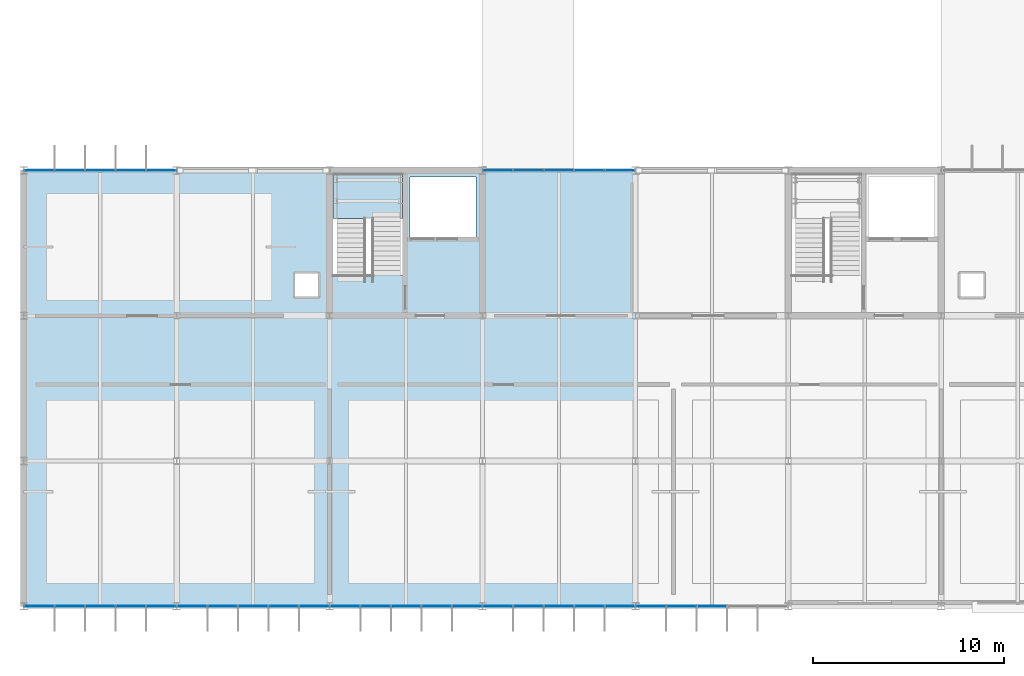
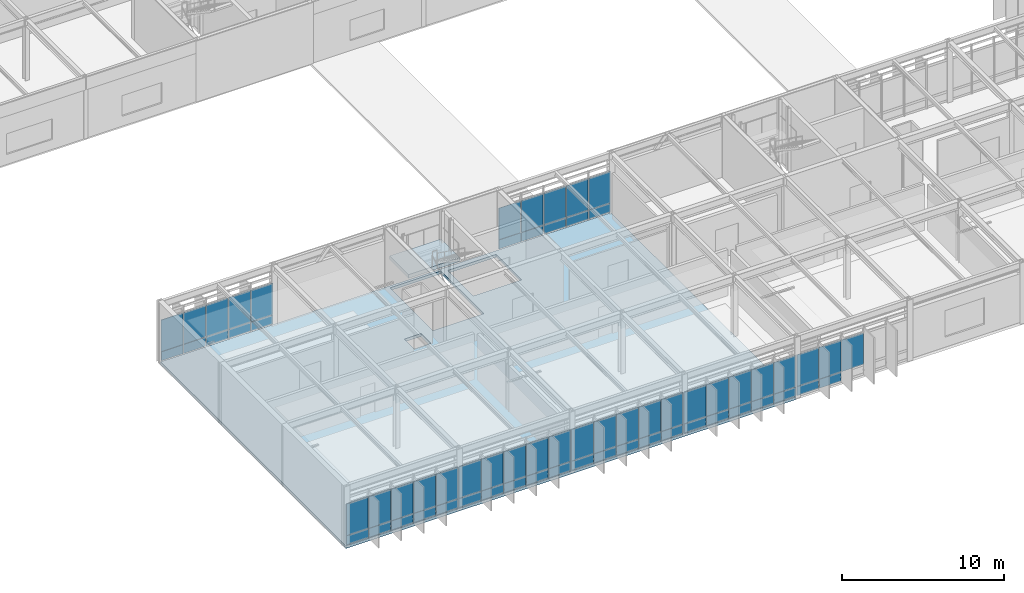
# One storey, part 71 of 100: 65 plates, 2 slabs, 8 elements without a shape of their own.
"""IFC4 building model written with IfcOpenShell, lengths in metres."""

from ifc_helpers import new_model, si_unit, direction, frame, origin, origin_2d, place, context, subcontext, project, spatial, polyline, rectangle, outline, extrude, material, layer, layer_set, type_object, element, aggregate, save


model = new_model("IFC4")

# Units and contexts
model_context = context("Model", 3, precision=1e-05, world=origin(), true_north=direction((0.0, 1.0)))
body_context = subcontext(model_context, "Body", "Model", "MODEL_VIEW")
ifc_project = project(units=[si_unit("LENGTHUNIT", "METRE"), si_unit("AREAUNIT", "SQUARE_METRE"), si_unit("VOLUMEUNIT", "CUBIC_METRE"), si_unit("PLANEANGLEUNIT", "RADIAN"), si_unit("MASSUNIT", "GRAM", prefix="KILO")], contexts=[model_context])

# Site, building, storey
site_placement = place(None, origin())
site = spatial("IfcSite", under=ifc_project, at=site_placement, CompositionType="ELEMENT")
building_placement = place(site_placement, origin())
building = spatial("IfcBuilding", under=site, at=building_placement, Name="Zulena Civic Courthouse", CompositionType="ELEMENT")
storey_placement = place(building_placement, frame((0.0, 0.0, 20.39990234375)))
storey = spatial("IfcBuildingStorey", under=building, at=storey_placement, Name="L04", CompositionType="ELEMENT", Elevation=20.39990234375)

# Curtain wall, plates
ifc_material_1 = material(Name="Double-silver low-E laminated solar-control glass", Category="glass")
curtain_wall_type = type_object("IfcCurtainWallType", Name="CW_7976x3690", PredefinedType="USERDEFINED", material=ifc_material_1)
curtain_wall_1_placement = place(storey_placement, origin())
curtain_wall_1 = element("IfcCurtainWall", 1, at=curtain_wall_1_placement, inside=storey, type_object=curtain_wall_type, Name="cw:V2:L04:1:0", ObjectType="UNITISED CURTAIN WALL", PredefinedType="USERDEFINED")
ifc_material_2 = material(Name="Ceramic-fritted insulated spandrel glass", Category="glass")
ifc_layer_1 = layer(ifc_material_2, 0.0458984375)
ifc_layer_set_1 = layer_set([ifc_layer_1], Name="Ceramic-fritted insulated spandrel glass")
plate_type_1 = type_object("IfcPlateType", Name="CWPanel_Spandrel_46", PredefinedType="CURTAIN_PANEL", material=ifc_layer_set_1)
plate_1_placement = place(storey_placement, frame((4.8095703125, 22.800048828125, 0.070068359375), z_axis=(0.0, 0.0, 1.0), x_axis=(1.0, 0.0, 0.0)))
plate_1 = element("IfcPlate", 2, at=plate_1_placement, type_object=plate_type_1, Name="cw:V2:L04:1:0:panS:0", PredefinedType="CURTAIN_PANEL", context=body_context, shape_type="SweptSolid", body=[
    extrude(rectangle(XDim=1.544921875, YDim=0.0458984375, at=origin_2d()), origin(), (0.0, 0.0, 1.0), 0.669921875),
])
plate_2_placement = place(storey_placement, frame((6.40478515625, 22.800048828125, 0.070068359375), z_axis=(0.0, 0.0, 1.0), x_axis=(1.0, 0.0, 0.0)))
plate_2 = element("IfcPlate", 3, at=plate_2_placement, type_object=plate_type_1, Name="cw:V2:L04:1:0:panS:1", PredefinedType="CURTAIN_PANEL", context=body_context, shape_type="SweptSolid", body=[
    extrude(rectangle(XDim=1.544921875, YDim=0.0458984375, at=origin_2d()), origin(), (0.0, 0.0, 1.0), 0.669921875),
])
plate_3_placement = place(storey_placement, frame((8.0, 22.800048828125, 0.070068359375), z_axis=(0.0, 0.0, 1.0), x_axis=(1.0, 0.0, 0.0)))
plate_3 = element("IfcPlate", 4, at=plate_3_placement, type_object=plate_type_1, Name="cw:V2:L04:1:0:panS:2", PredefinedType="CURTAIN_PANEL", context=body_context, shape_type="SweptSolid", body=[
    extrude(rectangle(XDim=1.544921875, YDim=0.0458984375, at=origin_2d()), origin(), (0.0, 0.0, 1.0), 0.669921875),
])
plate_4_placement = place(storey_placement, frame((9.59521484375, 22.800048828125, 0.070068359375), z_axis=(0.0, 0.0, 1.0), x_axis=(1.0, 0.0, 0.0)))
plate_4 = element("IfcPlate", 5, at=plate_4_placement, type_object=plate_type_1, Name="cw:V2:L04:1:0:panS:3", PredefinedType="CURTAIN_PANEL", context=body_context, shape_type="SweptSolid", body=[
    extrude(rectangle(XDim=1.544921875, YDim=0.0458984375, at=origin_2d()), origin(), (0.0, 0.0, 1.0), 0.669921875),
])
plate_5_placement = place(storey_placement, frame((11.1904296875, 22.800048828125, 0.070068359375), z_axis=(0.0, 0.0, 1.0), x_axis=(1.0, 0.0, 0.0)))
plate_5 = element("IfcPlate", 6, at=plate_5_placement, type_object=plate_type_1, Name="cw:V2:L04:1:0:panS:4", PredefinedType="CURTAIN_PANEL", context=body_context, shape_type="SweptSolid", body=[
    extrude(rectangle(XDim=1.544921875, YDim=0.0458984375, at=origin_2d()), origin(), (0.0, 0.0, 1.0), 0.669921875),
])

curtain_wall_2_placement = place(storey_placement, origin())
curtain_wall_2 = element("IfcCurtainWall", 7, at=curtain_wall_2_placement, inside=storey, type_object=curtain_wall_type, Name="cw:V2:L04:1:3", ObjectType="UNITISED CURTAIN WALL", PredefinedType="USERDEFINED")
plate_6_placement = place(storey_placement, frame((28.8095703125, 22.800048828125, 0.070068359375), z_axis=(0.0, 0.0, 1.0), x_axis=(1.0, 0.0, 0.0)))
plate_6 = element("IfcPlate", 8, at=plate_6_placement, type_object=plate_type_1, Name="cw:V2:L04:1:3:panS:0", PredefinedType="CURTAIN_PANEL", context=body_context, shape_type="SweptSolid", body=[
    extrude(rectangle(XDim=1.544921875, YDim=0.0458984375, at=origin_2d()), origin(), (0.0, 0.0, 1.0), 0.669921875),
])
plate_7_placement = place(storey_placement, frame((30.40478515625, 22.800048828125, 0.070068359375), z_axis=(0.0, 0.0, 1.0), x_axis=(1.0, 0.0, 0.0)))
plate_7 = element("IfcPlate", 9, at=plate_7_placement, type_object=plate_type_1, Name="cw:V2:L04:1:3:panS:1", PredefinedType="CURTAIN_PANEL", context=body_context, shape_type="SweptSolid", body=[
    extrude(rectangle(XDim=1.544921875, YDim=0.0458984375, at=origin_2d()), origin(), (0.0, 0.0, 1.0), 0.669921875),
])
plate_8_placement = place(storey_placement, frame((32.0, 22.800048828125, 0.070068359375), z_axis=(0.0, 0.0, 1.0), x_axis=(1.0, 0.0, 0.0)))
plate_8 = element("IfcPlate", 10, at=plate_8_placement, type_object=plate_type_1, Name="cw:V2:L04:1:3:panS:2", PredefinedType="CURTAIN_PANEL", context=body_context, shape_type="SweptSolid", body=[
    extrude(rectangle(XDim=1.544921875, YDim=0.0458984375, at=origin_2d()), origin(), (0.0, 0.0, 1.0), 0.669921875),
])
plate_9_placement = place(storey_placement, frame((33.59521484375, 22.800048828125, 0.070068359375), z_axis=(0.0, 0.0, 1.0), x_axis=(1.0, 0.0, 0.0)))
plate_9 = element("IfcPlate", 11, at=plate_9_placement, type_object=plate_type_1, Name="cw:V2:L04:1:3:panS:3", PredefinedType="CURTAIN_PANEL", context=body_context, shape_type="SweptSolid", body=[
    extrude(rectangle(XDim=1.544921875, YDim=0.0458984375, at=origin_2d()), origin(), (0.0, 0.0, 1.0), 0.669921875),
])
plate_10_placement = place(storey_placement, frame((35.1904296875, 22.800048828125, 0.070068359375), z_axis=(0.0, 0.0, 1.0), x_axis=(1.0, 0.0, 0.0)))
plate_10 = element("IfcPlate", 12, at=plate_10_placement, type_object=plate_type_1, Name="cw:V2:L04:1:3:panS:4", PredefinedType="CURTAIN_PANEL", context=body_context, shape_type="SweptSolid", body=[
    extrude(rectangle(XDim=1.544921875, YDim=0.0458984375, at=origin_2d()), origin(), (0.0, 0.0, 1.0), 0.669921875),
])

curtain_wall_3_placement = place(storey_placement, origin())
curtain_wall_3 = element("IfcCurtainWall", 13, at=curtain_wall_3_placement, inside=storey, type_object=curtain_wall_type, Name="cw:V2:L04:3:3", ObjectType="UNITISED CURTAIN WALL", PredefinedType="USERDEFINED")
plate_11_placement = place(storey_placement, frame((38.40478515625, 0.0, 0.070068359375), z_axis=(0.0, 0.0, 1.0), x_axis=(-1.0, 0.0, 0.0)))
plate_11 = element("IfcPlate", 14, at=plate_11_placement, type_object=plate_type_1, Name="cw:V2:L04:3:3:panS:3", PredefinedType="CURTAIN_PANEL", context=body_context, shape_type="SweptSolid", body=[
    extrude(rectangle(XDim=1.544921875, YDim=0.0458984375, at=origin_2d()), origin(), (0.0, 0.0, 1.0), 0.669921875),
])
plate_12_placement = place(storey_placement, frame((36.8095703125, 0.0, 0.070068359375), z_axis=(0.0, 0.0, 1.0), x_axis=(-1.0, 0.0, 0.0)))
plate_12 = element("IfcPlate", 15, at=plate_12_placement, type_object=plate_type_1, Name="cw:V2:L04:3:3:panS:4", PredefinedType="CURTAIN_PANEL", context=body_context, shape_type="SweptSolid", body=[
    extrude(rectangle(XDim=1.544921875, YDim=0.0458984375, at=origin_2d()), origin(), (0.0, 0.0, 1.0), 0.669921875),
])

curtain_wall_4_placement = place(storey_placement, origin())
curtain_wall_4 = element("IfcCurtainWall", 16, at=curtain_wall_4_placement, inside=storey, type_object=curtain_wall_type, Name="cw:V2:L04:3:4", ObjectType="UNITISED CURTAIN WALL", PredefinedType="USERDEFINED")
plate_13_placement = place(storey_placement, frame((35.1904296875, 0.0, 0.070068359375), z_axis=(0.0, 0.0, 1.0), x_axis=(-1.0, 0.0, 0.0)))
plate_13 = element("IfcPlate", 17, at=plate_13_placement, type_object=plate_type_1, Name="cw:V2:L04:3:4:panS:0", PredefinedType="CURTAIN_PANEL", context=body_context, shape_type="SweptSolid", body=[
    extrude(rectangle(XDim=1.544921875, YDim=0.0458984375, at=origin_2d()), origin(), (0.0, 0.0, 1.0), 0.669921875),
])
plate_14_placement = place(storey_placement, frame((33.59521484375, 0.0, 0.070068359375), z_axis=(0.0, 0.0, 1.0), x_axis=(-1.0, 0.0, 0.0)))
plate_14 = element("IfcPlate", 18, at=plate_14_placement, type_object=plate_type_1, Name="cw:V2:L04:3:4:panS:1", PredefinedType="CURTAIN_PANEL", context=body_context, shape_type="SweptSolid", body=[
    extrude(rectangle(XDim=1.544921875, YDim=0.0458984375, at=origin_2d()), origin(), (0.0, 0.0, 1.0), 0.669921875),
])
plate_15_placement = place(storey_placement, frame((32.0, 0.0, 0.070068359375), z_axis=(0.0, 0.0, 1.0), x_axis=(-1.0, 0.0, 0.0)))
plate_15 = element("IfcPlate", 19, at=plate_15_placement, type_object=plate_type_1, Name="cw:V2:L04:3:4:panS:2", PredefinedType="CURTAIN_PANEL", context=body_context, shape_type="SweptSolid", body=[
    extrude(rectangle(XDim=1.544921875, YDim=0.0458984375, at=origin_2d()), origin(), (0.0, 0.0, 1.0), 0.669921875),
])
plate_16_placement = place(storey_placement, frame((30.40478515625, 0.0, 0.070068359375), z_axis=(0.0, 0.0, 1.0), x_axis=(-1.0, 0.0, 0.0)))
plate_16 = element("IfcPlate", 20, at=plate_16_placement, type_object=plate_type_1, Name="cw:V2:L04:3:4:panS:3", PredefinedType="CURTAIN_PANEL", context=body_context, shape_type="SweptSolid", body=[
    extrude(rectangle(XDim=1.544921875, YDim=0.0458984375, at=origin_2d()), origin(), (0.0, 0.0, 1.0), 0.669921875),
])
plate_17_placement = place(storey_placement, frame((28.8095703125, 0.0, 0.070068359375), z_axis=(0.0, 0.0, 1.0), x_axis=(-1.0, 0.0, 0.0)))
plate_17 = element("IfcPlate", 21, at=plate_17_placement, type_object=plate_type_1, Name="cw:V2:L04:3:4:panS:4", PredefinedType="CURTAIN_PANEL", context=body_context, shape_type="SweptSolid", body=[
    extrude(rectangle(XDim=1.544921875, YDim=0.0458984375, at=origin_2d()), origin(), (0.0, 0.0, 1.0), 0.669921875),
])

curtain_wall_5_placement = place(storey_placement, origin())
curtain_wall_5 = element("IfcCurtainWall", 22, at=curtain_wall_5_placement, inside=storey, type_object=curtain_wall_type, Name="cw:V2:L04:3:5", ObjectType="UNITISED CURTAIN WALL", PredefinedType="USERDEFINED")
plate_18_placement = place(storey_placement, frame((27.1904296875, 0.0, 0.070068359375), z_axis=(0.0, 0.0, 1.0), x_axis=(-1.0, 0.0, 0.0)))
plate_18 = element("IfcPlate", 23, at=plate_18_placement, type_object=plate_type_1, Name="cw:V2:L04:3:5:panS:0", PredefinedType="CURTAIN_PANEL", context=body_context, shape_type="SweptSolid", body=[
    extrude(rectangle(XDim=1.544921875, YDim=0.0458984375, at=origin_2d()), origin(), (0.0, 0.0, 1.0), 0.669921875),
])
plate_19_placement = place(storey_placement, frame((25.59521484375, 0.0, 0.070068359375), z_axis=(0.0, 0.0, 1.0), x_axis=(-1.0, 0.0, 0.0)))
plate_19 = element("IfcPlate", 24, at=plate_19_placement, type_object=plate_type_1, Name="cw:V2:L04:3:5:panS:1", PredefinedType="CURTAIN_PANEL", context=body_context, shape_type="SweptSolid", body=[
    extrude(rectangle(XDim=1.544921875, YDim=0.0458984375, at=origin_2d()), origin(), (0.0, 0.0, 1.0), 0.669921875),
])
plate_20_placement = place(storey_placement, frame((24.0, 0.0, 0.070068359375), z_axis=(0.0, 0.0, 1.0), x_axis=(-1.0, 0.0, 0.0)))
plate_20 = element("IfcPlate", 25, at=plate_20_placement, type_object=plate_type_1, Name="cw:V2:L04:3:5:panS:2", PredefinedType="CURTAIN_PANEL", context=body_context, shape_type="SweptSolid", body=[
    extrude(rectangle(XDim=1.544921875, YDim=0.0458984375, at=origin_2d()), origin(), (0.0, 0.0, 1.0), 0.669921875),
])
plate_21_placement = place(storey_placement, frame((22.40478515625, 0.0, 0.070068359375), z_axis=(0.0, 0.0, 1.0), x_axis=(-1.0, 0.0, 0.0)))
plate_21 = element("IfcPlate", 26, at=plate_21_placement, type_object=plate_type_1, Name="cw:V2:L04:3:5:panS:3", PredefinedType="CURTAIN_PANEL", context=body_context, shape_type="SweptSolid", body=[
    extrude(rectangle(XDim=1.544921875, YDim=0.0458984375, at=origin_2d()), origin(), (0.0, 0.0, 1.0), 0.669921875),
])
plate_22_placement = place(storey_placement, frame((20.8095703125, 0.0, 0.070068359375), z_axis=(0.0, 0.0, 1.0), x_axis=(-1.0, 0.0, 0.0)))
plate_22 = element("IfcPlate", 27, at=plate_22_placement, type_object=plate_type_1, Name="cw:V2:L04:3:5:panS:4", PredefinedType="CURTAIN_PANEL", context=body_context, shape_type="SweptSolid", body=[
    extrude(rectangle(XDim=1.544921875, YDim=0.0458984375, at=origin_2d()), origin(), (0.0, 0.0, 1.0), 0.669921875),
])

curtain_wall_6_placement = place(storey_placement, origin())
curtain_wall_6 = element("IfcCurtainWall", 28, at=curtain_wall_6_placement, inside=storey, type_object=curtain_wall_type, Name="cw:V2:L04:3:6", ObjectType="UNITISED CURTAIN WALL", PredefinedType="USERDEFINED")
plate_23_placement = place(storey_placement, frame((19.1904296875, 0.0, 0.070068359375), z_axis=(0.0, 0.0, 1.0), x_axis=(-1.0, 0.0, 0.0)))
plate_23 = element("IfcPlate", 29, at=plate_23_placement, type_object=plate_type_1, Name="cw:V2:L04:3:6:panS:0", PredefinedType="CURTAIN_PANEL", context=body_context, shape_type="SweptSolid", body=[
    extrude(rectangle(XDim=1.544921875, YDim=0.0458984375, at=origin_2d()), origin(), (0.0, 0.0, 1.0), 0.669921875),
])
plate_24_placement = place(storey_placement, frame((17.59521484375, 0.0, 0.070068359375), z_axis=(0.0, 0.0, 1.0), x_axis=(-1.0, 0.0, 0.0)))
plate_24 = element("IfcPlate", 30, at=plate_24_placement, type_object=plate_type_1, Name="cw:V2:L04:3:6:panS:1", PredefinedType="CURTAIN_PANEL", context=body_context, shape_type="SweptSolid", body=[
    extrude(rectangle(XDim=1.544921875, YDim=0.0458984375, at=origin_2d()), origin(), (0.0, 0.0, 1.0), 0.669921875),
])
plate_25_placement = place(storey_placement, frame((16.0, 0.0, 0.070068359375), z_axis=(0.0, 0.0, 1.0), x_axis=(-1.0, 0.0, 0.0)))
plate_25 = element("IfcPlate", 31, at=plate_25_placement, type_object=plate_type_1, Name="cw:V2:L04:3:6:panS:2", PredefinedType="CURTAIN_PANEL", context=body_context, shape_type="SweptSolid", body=[
    extrude(rectangle(XDim=1.544921875, YDim=0.0458984375, at=origin_2d()), origin(), (0.0, 0.0, 1.0), 0.669921875),
])
plate_26_placement = place(storey_placement, frame((14.40478515625, 0.0, 0.070068359375), z_axis=(0.0, 0.0, 1.0), x_axis=(-1.0, 0.0, 0.0)))
plate_26 = element("IfcPlate", 32, at=plate_26_placement, type_object=plate_type_1, Name="cw:V2:L04:3:6:panS:3", PredefinedType="CURTAIN_PANEL", context=body_context, shape_type="SweptSolid", body=[
    extrude(rectangle(XDim=1.544921875, YDim=0.0458984375, at=origin_2d()), origin(), (0.0, 0.0, 1.0), 0.669921875),
])
plate_27_placement = place(storey_placement, frame((12.8095703125, 0.0, 0.070068359375), z_axis=(0.0, 0.0, 1.0), x_axis=(-1.0, 0.0, 0.0)))
plate_27 = element("IfcPlate", 33, at=plate_27_placement, type_object=plate_type_1, Name="cw:V2:L04:3:6:panS:4", PredefinedType="CURTAIN_PANEL", context=body_context, shape_type="SweptSolid", body=[
    extrude(rectangle(XDim=1.544921875, YDim=0.0458984375, at=origin_2d()), origin(), (0.0, 0.0, 1.0), 0.669921875),
])

curtain_wall_7_placement = place(storey_placement, origin())
curtain_wall_7 = element("IfcCurtainWall", 34, at=curtain_wall_7_placement, inside=storey, type_object=curtain_wall_type, Name="cw:V2:L04:3:7", ObjectType="UNITISED CURTAIN WALL", PredefinedType="USERDEFINED")
plate_28_placement = place(storey_placement, frame((11.1904296875, 0.0, 0.070068359375), z_axis=(0.0, 0.0, 1.0), x_axis=(-1.0, 0.0, 0.0)))
plate_28 = element("IfcPlate", 35, at=plate_28_placement, type_object=plate_type_1, Name="cw:V2:L04:3:7:panS:0", PredefinedType="CURTAIN_PANEL", context=body_context, shape_type="SweptSolid", body=[
    extrude(rectangle(XDim=1.544921875, YDim=0.0458984375, at=origin_2d()), origin(), (0.0, 0.0, 1.0), 0.669921875),
])
plate_29_placement = place(storey_placement, frame((9.59521484375, 0.0, 0.070068359375), z_axis=(0.0, 0.0, 1.0), x_axis=(-1.0, 0.0, 0.0)))
plate_29 = element("IfcPlate", 36, at=plate_29_placement, type_object=plate_type_1, Name="cw:V2:L04:3:7:panS:1", PredefinedType="CURTAIN_PANEL", context=body_context, shape_type="SweptSolid", body=[
    extrude(rectangle(XDim=1.544921875, YDim=0.0458984375, at=origin_2d()), origin(), (0.0, 0.0, 1.0), 0.669921875),
])
plate_30_placement = place(storey_placement, frame((8.0, 0.0, 0.070068359375), z_axis=(0.0, 0.0, 1.0), x_axis=(-1.0, 0.0, 0.0)))
plate_30 = element("IfcPlate", 37, at=plate_30_placement, type_object=plate_type_1, Name="cw:V2:L04:3:7:panS:2", PredefinedType="CURTAIN_PANEL", context=body_context, shape_type="SweptSolid", body=[
    extrude(rectangle(XDim=1.544921875, YDim=0.0458984375, at=origin_2d()), origin(), (0.0, 0.0, 1.0), 0.669921875),
])
plate_31_placement = place(storey_placement, frame((6.40478515625, 0.0, 0.070068359375), z_axis=(0.0, 0.0, 1.0), x_axis=(-1.0, 0.0, 0.0)))
plate_31 = element("IfcPlate", 38, at=plate_31_placement, type_object=plate_type_1, Name="cw:V2:L04:3:7:panS:3", PredefinedType="CURTAIN_PANEL", context=body_context, shape_type="SweptSolid", body=[
    extrude(rectangle(XDim=1.544921875, YDim=0.0458984375, at=origin_2d()), origin(), (0.0, 0.0, 1.0), 0.669921875),
])
plate_32_placement = place(storey_placement, frame((4.8095703125, 0.0, 0.070068359375), z_axis=(0.0, 0.0, 1.0), x_axis=(-1.0, 0.0, 0.0)))
plate_32 = element("IfcPlate", 39, at=plate_32_placement, type_object=plate_type_1, Name="cw:V2:L04:3:7:panS:4", PredefinedType="CURTAIN_PANEL", context=body_context, shape_type="SweptSolid", body=[
    extrude(rectangle(XDim=1.544921875, YDim=0.0458984375, at=origin_2d()), origin(), (0.0, 0.0, 1.0), 0.669921875),
])

# Plate
ifc_layer_2 = layer(ifc_material_1, 0.035888671875)
ifc_layer_set_2 = layer_set([ifc_layer_2], Name="Double-silver low-E laminated solar-control glass")
plate_type_2 = type_object("IfcPlateType", Name="CWPanel_Vision_36", PredefinedType="CURTAIN_PANEL", material=ifc_layer_set_2)
plate_33_placement = place(storey_placement, frame((4.8095703125, 22.800048828125, 0.760009765625), z_axis=(0.0, 0.0, 1.0), x_axis=(1.0, 0.0, 0.0)))
plate_33 = element("IfcPlate", 40, at=plate_33_placement, type_object=plate_type_2, Name="cw:V2:L04:1:0:panV:0", PredefinedType="CURTAIN_PANEL", context=body_context, shape_type="SweptSolid", body=[
    extrude(rectangle(XDim=1.544921875, YDim=0.035888671875, at=origin_2d()), origin(), (0.0, 0.0, 1.0), 2.3701171875),
])

plate_34_placement = place(storey_placement, frame((6.40478515625, 22.800048828125, 0.760009765625), z_axis=(0.0, 0.0, 1.0), x_axis=(1.0, 0.0, 0.0)))
plate_34 = element("IfcPlate", 41, at=plate_34_placement, type_object=plate_type_2, Name="cw:V2:L04:1:0:panV:1", PredefinedType="CURTAIN_PANEL", context=body_context, shape_type="SweptSolid", body=[
    extrude(rectangle(XDim=1.544921875, YDim=0.035888671875, at=origin_2d()), origin(), (0.0, 0.0, 1.0), 2.3701171875),
])

plate_35_placement = place(storey_placement, frame((8.0, 22.800048828125, 0.760009765625), z_axis=(0.0, 0.0, 1.0), x_axis=(1.0, 0.0, 0.0)))
plate_35 = element("IfcPlate", 42, at=plate_35_placement, type_object=plate_type_2, Name="cw:V2:L04:1:0:panV:2", PredefinedType="CURTAIN_PANEL", context=body_context, shape_type="SweptSolid", body=[
    extrude(rectangle(XDim=1.544921875, YDim=0.035888671875, at=origin_2d()), origin(), (0.0, 0.0, 1.0), 2.3701171875),
])

plate_36_placement = place(storey_placement, frame((9.59521484375, 22.800048828125, 0.760009765625), z_axis=(0.0, 0.0, 1.0), x_axis=(1.0, 0.0, 0.0)))
plate_36 = element("IfcPlate", 43, at=plate_36_placement, type_object=plate_type_2, Name="cw:V2:L04:1:0:panV:3", PredefinedType="CURTAIN_PANEL", context=body_context, shape_type="SweptSolid", body=[
    extrude(rectangle(XDim=1.544921875, YDim=0.035888671875, at=origin_2d()), origin(), (0.0, 0.0, 1.0), 2.3701171875),
])

plate_37_placement = place(storey_placement, frame((11.1904296875, 22.800048828125, 0.760009765625), z_axis=(0.0, 0.0, 1.0), x_axis=(1.0, 0.0, 0.0)))
plate_37 = element("IfcPlate", 44, at=plate_37_placement, type_object=plate_type_2, Name="cw:V2:L04:1:0:panV:4", PredefinedType="CURTAIN_PANEL", context=body_context, shape_type="SweptSolid", body=[
    extrude(rectangle(XDim=1.544921875, YDim=0.035888671875, at=origin_2d()), origin(), (0.0, 0.0, 1.0), 2.3701171875),
])

aggregate(curtain_wall_1, [plate_33, plate_1, plate_34, plate_2, plate_35, plate_3, plate_36, plate_4, plate_37, plate_5])

plate_38_placement = place(storey_placement, frame((28.8095703125, 22.800048828125, 0.760009765625), z_axis=(0.0, 0.0, 1.0), x_axis=(1.0, 0.0, 0.0)))
plate_38 = element("IfcPlate", 45, at=plate_38_placement, type_object=plate_type_2, Name="cw:V2:L04:1:3:panV:0", PredefinedType="CURTAIN_PANEL", context=body_context, shape_type="SweptSolid", body=[
    extrude(rectangle(XDim=1.544921875, YDim=0.035888671875, at=origin_2d()), origin(), (0.0, 0.0, 1.0), 2.3701171875),
])

plate_39_placement = place(storey_placement, frame((30.40478515625, 22.800048828125, 0.760009765625), z_axis=(0.0, 0.0, 1.0), x_axis=(1.0, 0.0, 0.0)))
plate_39 = element("IfcPlate", 46, at=plate_39_placement, type_object=plate_type_2, Name="cw:V2:L04:1:3:panV:1", PredefinedType="CURTAIN_PANEL", context=body_context, shape_type="SweptSolid", body=[
    extrude(rectangle(XDim=1.544921875, YDim=0.035888671875, at=origin_2d()), origin(), (0.0, 0.0, 1.0), 2.3701171875),
])

plate_40_placement = place(storey_placement, frame((32.0, 22.800048828125, 0.760009765625), z_axis=(0.0, 0.0, 1.0), x_axis=(1.0, 0.0, 0.0)))
plate_40 = element("IfcPlate", 47, at=plate_40_placement, type_object=plate_type_2, Name="cw:V2:L04:1:3:panV:2", PredefinedType="CURTAIN_PANEL", context=body_context, shape_type="SweptSolid", body=[
    extrude(rectangle(XDim=1.544921875, YDim=0.035888671875, at=origin_2d()), origin(), (0.0, 0.0, 1.0), 2.3701171875),
])

plate_41_placement = place(storey_placement, frame((33.59521484375, 22.800048828125, 0.760009765625), z_axis=(0.0, 0.0, 1.0), x_axis=(1.0, 0.0, 0.0)))
plate_41 = element("IfcPlate", 48, at=plate_41_placement, type_object=plate_type_2, Name="cw:V2:L04:1:3:panV:3", PredefinedType="CURTAIN_PANEL", context=body_context, shape_type="SweptSolid", body=[
    extrude(rectangle(XDim=1.544921875, YDim=0.035888671875, at=origin_2d()), origin(), (0.0, 0.0, 1.0), 2.3701171875),
])

plate_42_placement = place(storey_placement, frame((35.1904296875, 22.800048828125, 0.760009765625), z_axis=(0.0, 0.0, 1.0), x_axis=(1.0, 0.0, 0.0)))
plate_42 = element("IfcPlate", 49, at=plate_42_placement, type_object=plate_type_2, Name="cw:V2:L04:1:3:panV:4", PredefinedType="CURTAIN_PANEL", context=body_context, shape_type="SweptSolid", body=[
    extrude(rectangle(XDim=1.544921875, YDim=0.035888671875, at=origin_2d()), origin(), (0.0, 0.0, 1.0), 2.3701171875),
])

aggregate(curtain_wall_2, [plate_38, plate_6, plate_39, plate_7, plate_40, plate_8, plate_41, plate_9, plate_42, plate_10])

plate_43_placement = place(storey_placement, frame((40.0, 0.0, 0.760009765625), z_axis=(0.0, 0.0, 1.0), x_axis=(-1.0, 0.0, 0.0)))
plate_43 = element("IfcPlate", 50, at=plate_43_placement, type_object=plate_type_2, Name="cw:V2:L04:3:3:panV:2", PredefinedType="CURTAIN_PANEL", context=body_context, shape_type="SweptSolid", body=[
    extrude(rectangle(XDim=1.544921875, YDim=0.035888671875, at=origin_2d()), origin(), (0.0, 0.0, 1.0), 2.3701171875),
])

plate_44_placement = place(storey_placement, frame((38.40478515625, 0.0, 0.760009765625), z_axis=(0.0, 0.0, 1.0), x_axis=(-1.0, 0.0, 0.0)))
plate_44 = element("IfcPlate", 51, at=plate_44_placement, type_object=plate_type_2, Name="cw:V2:L04:3:3:panV:3", PredefinedType="CURTAIN_PANEL", context=body_context, shape_type="SweptSolid", body=[
    extrude(rectangle(XDim=1.544921875, YDim=0.035888671875, at=origin_2d()), origin(), (0.0, 0.0, 1.0), 2.3701171875),
])

plate_45_placement = place(storey_placement, frame((36.8095703125, 0.0, 0.760009765625), z_axis=(0.0, 0.0, 1.0), x_axis=(-1.0, 0.0, 0.0)))
plate_45 = element("IfcPlate", 52, at=plate_45_placement, type_object=plate_type_2, Name="cw:V2:L04:3:3:panV:4", PredefinedType="CURTAIN_PANEL", context=body_context, shape_type="SweptSolid", body=[
    extrude(rectangle(XDim=1.544921875, YDim=0.035888671875, at=origin_2d()), origin(), (0.0, 0.0, 1.0), 2.3701171875),
])

aggregate(curtain_wall_3, [plate_43, plate_44, plate_11, plate_45, plate_12])

plate_46_placement = place(storey_placement, frame((35.1904296875, 0.0, 0.760009765625), z_axis=(0.0, 0.0, 1.0), x_axis=(-1.0, 0.0, 0.0)))
plate_46 = element("IfcPlate", 53, at=plate_46_placement, type_object=plate_type_2, Name="cw:V2:L04:3:4:panV:0", PredefinedType="CURTAIN_PANEL", context=body_context, shape_type="SweptSolid", body=[
    extrude(rectangle(XDim=1.544921875, YDim=0.035888671875, at=origin_2d()), origin(), (0.0, 0.0, 1.0), 2.3701171875),
])

plate_47_placement = place(storey_placement, frame((33.59521484375, 0.0, 0.760009765625), z_axis=(0.0, 0.0, 1.0), x_axis=(-1.0, 0.0, 0.0)))
plate_47 = element("IfcPlate", 54, at=plate_47_placement, type_object=plate_type_2, Name="cw:V2:L04:3:4:panV:1", PredefinedType="CURTAIN_PANEL", context=body_context, shape_type="SweptSolid", body=[
    extrude(rectangle(XDim=1.544921875, YDim=0.035888671875, at=origin_2d()), origin(), (0.0, 0.0, 1.0), 2.3701171875),
])

plate_48_placement = place(storey_placement, frame((32.0, 0.0, 0.760009765625), z_axis=(0.0, 0.0, 1.0), x_axis=(-1.0, 0.0, 0.0)))
plate_48 = element("IfcPlate", 55, at=plate_48_placement, type_object=plate_type_2, Name="cw:V2:L04:3:4:panV:2", PredefinedType="CURTAIN_PANEL", context=body_context, shape_type="SweptSolid", body=[
    extrude(rectangle(XDim=1.544921875, YDim=0.035888671875, at=origin_2d()), origin(), (0.0, 0.0, 1.0), 2.3701171875),
])

plate_49_placement = place(storey_placement, frame((30.40478515625, 0.0, 0.760009765625), z_axis=(0.0, 0.0, 1.0), x_axis=(-1.0, 0.0, 0.0)))
plate_49 = element("IfcPlate", 56, at=plate_49_placement, type_object=plate_type_2, Name="cw:V2:L04:3:4:panV:3", PredefinedType="CURTAIN_PANEL", context=body_context, shape_type="SweptSolid", body=[
    extrude(rectangle(XDim=1.544921875, YDim=0.035888671875, at=origin_2d()), origin(), (0.0, 0.0, 1.0), 2.3701171875),
])

plate_50_placement = place(storey_placement, frame((28.8095703125, 0.0, 0.760009765625), z_axis=(0.0, 0.0, 1.0), x_axis=(-1.0, 0.0, 0.0)))
plate_50 = element("IfcPlate", 57, at=plate_50_placement, type_object=plate_type_2, Name="cw:V2:L04:3:4:panV:4", PredefinedType="CURTAIN_PANEL", context=body_context, shape_type="SweptSolid", body=[
    extrude(rectangle(XDim=1.544921875, YDim=0.035888671875, at=origin_2d()), origin(), (0.0, 0.0, 1.0), 2.3701171875),
])

aggregate(curtain_wall_4, [plate_46, plate_13, plate_47, plate_14, plate_48, plate_15, plate_49, plate_16, plate_50, plate_17])

plate_51_placement = place(storey_placement, frame((27.1904296875, 0.0, 0.760009765625), z_axis=(0.0, 0.0, 1.0), x_axis=(-1.0, 0.0, 0.0)))
plate_51 = element("IfcPlate", 58, at=plate_51_placement, type_object=plate_type_2, Name="cw:V2:L04:3:5:panV:0", PredefinedType="CURTAIN_PANEL", context=body_context, shape_type="SweptSolid", body=[
    extrude(rectangle(XDim=1.544921875, YDim=0.035888671875, at=origin_2d()), origin(), (0.0, 0.0, 1.0), 2.3701171875),
])

plate_52_placement = place(storey_placement, frame((25.59521484375, 0.0, 0.760009765625), z_axis=(0.0, 0.0, 1.0), x_axis=(-1.0, 0.0, 0.0)))
plate_52 = element("IfcPlate", 59, at=plate_52_placement, type_object=plate_type_2, Name="cw:V2:L04:3:5:panV:1", PredefinedType="CURTAIN_PANEL", context=body_context, shape_type="SweptSolid", body=[
    extrude(rectangle(XDim=1.544921875, YDim=0.035888671875, at=origin_2d()), origin(), (0.0, 0.0, 1.0), 2.3701171875),
])

plate_53_placement = place(storey_placement, frame((24.0, 0.0, 0.760009765625), z_axis=(0.0, 0.0, 1.0), x_axis=(-1.0, 0.0, 0.0)))
plate_53 = element("IfcPlate", 60, at=plate_53_placement, type_object=plate_type_2, Name="cw:V2:L04:3:5:panV:2", PredefinedType="CURTAIN_PANEL", context=body_context, shape_type="SweptSolid", body=[
    extrude(rectangle(XDim=1.544921875, YDim=0.035888671875, at=origin_2d()), origin(), (0.0, 0.0, 1.0), 2.3701171875),
])

plate_54_placement = place(storey_placement, frame((22.40478515625, 0.0, 0.760009765625), z_axis=(0.0, 0.0, 1.0), x_axis=(-1.0, 0.0, 0.0)))
plate_54 = element("IfcPlate", 61, at=plate_54_placement, type_object=plate_type_2, Name="cw:V2:L04:3:5:panV:3", PredefinedType="CURTAIN_PANEL", context=body_context, shape_type="SweptSolid", body=[
    extrude(rectangle(XDim=1.544921875, YDim=0.035888671875, at=origin_2d()), origin(), (0.0, 0.0, 1.0), 2.3701171875),
])

plate_55_placement = place(storey_placement, frame((20.8095703125, 0.0, 0.760009765625), z_axis=(0.0, 0.0, 1.0), x_axis=(-1.0, 0.0, 0.0)))
plate_55 = element("IfcPlate", 62, at=plate_55_placement, type_object=plate_type_2, Name="cw:V2:L04:3:5:panV:4", PredefinedType="CURTAIN_PANEL", context=body_context, shape_type="SweptSolid", body=[
    extrude(rectangle(XDim=1.544921875, YDim=0.035888671875, at=origin_2d()), origin(), (0.0, 0.0, 1.0), 2.3701171875),
])

aggregate(curtain_wall_5, [plate_51, plate_18, plate_52, plate_19, plate_53, plate_20, plate_54, plate_21, plate_55, plate_22])

plate_56_placement = place(storey_placement, frame((19.1904296875, 0.0, 0.760009765625), z_axis=(0.0, 0.0, 1.0), x_axis=(-1.0, 0.0, 0.0)))
plate_56 = element("IfcPlate", 63, at=plate_56_placement, type_object=plate_type_2, Name="cw:V2:L04:3:6:panV:0", PredefinedType="CURTAIN_PANEL", context=body_context, shape_type="SweptSolid", body=[
    extrude(rectangle(XDim=1.544921875, YDim=0.035888671875, at=origin_2d()), origin(), (0.0, 0.0, 1.0), 2.3701171875),
])

plate_57_placement = place(storey_placement, frame((17.59521484375, 0.0, 0.760009765625), z_axis=(0.0, 0.0, 1.0), x_axis=(-1.0, 0.0, 0.0)))
plate_57 = element("IfcPlate", 64, at=plate_57_placement, type_object=plate_type_2, Name="cw:V2:L04:3:6:panV:1", PredefinedType="CURTAIN_PANEL", context=body_context, shape_type="SweptSolid", body=[
    extrude(rectangle(XDim=1.544921875, YDim=0.035888671875, at=origin_2d()), origin(), (0.0, 0.0, 1.0), 2.3701171875),
])

plate_58_placement = place(storey_placement, frame((16.0, 0.0, 0.760009765625), z_axis=(0.0, 0.0, 1.0), x_axis=(-1.0, 0.0, 0.0)))
plate_58 = element("IfcPlate", 65, at=plate_58_placement, type_object=plate_type_2, Name="cw:V2:L04:3:6:panV:2", PredefinedType="CURTAIN_PANEL", context=body_context, shape_type="SweptSolid", body=[
    extrude(rectangle(XDim=1.544921875, YDim=0.035888671875, at=origin_2d()), origin(), (0.0, 0.0, 1.0), 2.3701171875),
])

plate_59_placement = place(storey_placement, frame((14.40478515625, 0.0, 0.760009765625), z_axis=(0.0, 0.0, 1.0), x_axis=(-1.0, 0.0, 0.0)))
plate_59 = element("IfcPlate", 66, at=plate_59_placement, type_object=plate_type_2, Name="cw:V2:L04:3:6:panV:3", PredefinedType="CURTAIN_PANEL", context=body_context, shape_type="SweptSolid", body=[
    extrude(rectangle(XDim=1.544921875, YDim=0.035888671875, at=origin_2d()), origin(), (0.0, 0.0, 1.0), 2.3701171875),
])

plate_60_placement = place(storey_placement, frame((12.8095703125, 0.0, 0.760009765625), z_axis=(0.0, 0.0, 1.0), x_axis=(-1.0, 0.0, 0.0)))
plate_60 = element("IfcPlate", 67, at=plate_60_placement, type_object=plate_type_2, Name="cw:V2:L04:3:6:panV:4", PredefinedType="CURTAIN_PANEL", context=body_context, shape_type="SweptSolid", body=[
    extrude(rectangle(XDim=1.544921875, YDim=0.035888671875, at=origin_2d()), origin(), (0.0, 0.0, 1.0), 2.3701171875),
])

aggregate(curtain_wall_6, [plate_56, plate_23, plate_57, plate_24, plate_58, plate_25, plate_59, plate_26, plate_60, plate_27])

plate_61_placement = place(storey_placement, frame((11.1904296875, 0.0, 0.760009765625), z_axis=(0.0, 0.0, 1.0), x_axis=(-1.0, 0.0, 0.0)))
plate_61 = element("IfcPlate", 68, at=plate_61_placement, type_object=plate_type_2, Name="cw:V2:L04:3:7:panV:0", PredefinedType="CURTAIN_PANEL", context=body_context, shape_type="SweptSolid", body=[
    extrude(rectangle(XDim=1.544921875, YDim=0.035888671875, at=origin_2d()), origin(), (0.0, 0.0, 1.0), 2.3701171875),
])

plate_62_placement = place(storey_placement, frame((9.59521484375, 0.0, 0.760009765625), z_axis=(0.0, 0.0, 1.0), x_axis=(-1.0, 0.0, 0.0)))
plate_62 = element("IfcPlate", 69, at=plate_62_placement, type_object=plate_type_2, Name="cw:V2:L04:3:7:panV:1", PredefinedType="CURTAIN_PANEL", context=body_context, shape_type="SweptSolid", body=[
    extrude(rectangle(XDim=1.544921875, YDim=0.035888671875, at=origin_2d()), origin(), (0.0, 0.0, 1.0), 2.3701171875),
])

plate_63_placement = place(storey_placement, frame((8.0, 0.0, 0.760009765625), z_axis=(0.0, 0.0, 1.0), x_axis=(-1.0, 0.0, 0.0)))
plate_63 = element("IfcPlate", 70, at=plate_63_placement, type_object=plate_type_2, Name="cw:V2:L04:3:7:panV:2", PredefinedType="CURTAIN_PANEL", context=body_context, shape_type="SweptSolid", body=[
    extrude(rectangle(XDim=1.544921875, YDim=0.035888671875, at=origin_2d()), origin(), (0.0, 0.0, 1.0), 2.3701171875),
])

plate_64_placement = place(storey_placement, frame((6.40478515625, 0.0, 0.760009765625), z_axis=(0.0, 0.0, 1.0), x_axis=(-1.0, 0.0, 0.0)))
plate_64 = element("IfcPlate", 71, at=plate_64_placement, type_object=plate_type_2, Name="cw:V2:L04:3:7:panV:3", PredefinedType="CURTAIN_PANEL", context=body_context, shape_type="SweptSolid", body=[
    extrude(rectangle(XDim=1.544921875, YDim=0.035888671875, at=origin_2d()), origin(), (0.0, 0.0, 1.0), 2.3701171875),
])

plate_65_placement = place(storey_placement, frame((4.8095703125, 0.0, 0.760009765625), z_axis=(0.0, 0.0, 1.0), x_axis=(-1.0, 0.0, 0.0)))
plate_65 = element("IfcPlate", 72, at=plate_65_placement, type_object=plate_type_2, Name="cw:V2:L04:3:7:panV:4", PredefinedType="CURTAIN_PANEL", context=body_context, shape_type="SweptSolid", body=[
    extrude(rectangle(XDim=1.544921875, YDim=0.035888671875, at=origin_2d()), origin(), (0.0, 0.0, 1.0), 2.3701171875),
])

aggregate(curtain_wall_7, [plate_61, plate_28, plate_62, plate_29, plate_63, plate_30, plate_64, plate_31, plate_65, plate_32])

# Slab
ifc_material_3 = material(Name="Concrete C35/45", Category="concrete")
ifc_layer_3 = layer(ifc_material_3, 0.2099609375)
ifc_layer_set_3 = layer_set([ifc_layer_3], Name="Concrete C35/45")
slab_type_1 = type_object("IfcSlabType", Name="FloorSlab_210", PredefinedType="FLOOR", material=ifc_layer_set_3)
slab_1_placement = place(storey_placement, frame((0.0, 0.0, -0.2099609375)))
element("IfcSlab", 73, at=slab_1_placement, inside=storey, type_object=slab_type_1, Name="slab:V2:L04_1", PredefinedType="FLOOR", context=body_context, shape_type="SweptSolid", body=[
    extrude(outline(polyline([(4.0, 0.0), (4.0, 22.800048828125), (36.0, 22.800048828125), (36.0, 0.0), (4.0, 0.0)]), holes=[polyline([(20.18994140625, 22.610107421875), (20.18994140625, 17.320068359375), (23.81005859375, 17.320068359375), (23.81005859375, 22.610107421875), (20.18994140625, 22.610107421875)]), polyline([(27.64990234375, 22.449951171875), (24.199951171875, 22.449951171875), (24.199951171875, 19.300048828125), (27.64990234375, 19.300048828125), (27.64990234375, 22.449951171875)]), polyline([(18.199951171875, 17.39990234375), (18.199951171875, 16.199951171875), (19.39990234375, 16.199951171875), (19.39990234375, 17.39990234375), (18.199951171875, 17.39990234375)])]), origin(), (0.0, 0.0, 1.0), 0.2099609375),
])

# Stair, slab
ifc_material_4 = material(Name="Precast concrete C40/50", Category="concrete")
stair_type = type_object("IfcStairType", Name="HalfTurnStair_4800", PredefinedType="HALF_TURN_STAIR", material=ifc_material_4)
stair_placement = place(storey_placement, origin())
stair = element("IfcStair", 74, at=stair_placement, inside=storey, type_object=stair_type, Name="stair:K2A:L04", PredefinedType="HALF_TURN_STAIR")
ifc_layer_4 = layer(ifc_material_4, 0.280029296875)
ifc_layer_set_4 = layer_set([ifc_layer_4], Name="Precast concrete C40/50")
slab_type_2 = type_object("IfcSlabType", Name="StairLandingSlab_280", PredefinedType="LANDING", material=ifc_layer_set_4)
slab_2_placement = place(storey_placement, frame((0.0, 0.0, 2.1201171875)))
slab_2 = element("IfcSlab", 75, at=slab_2_placement, type_object=slab_type_2, Name="stair:K2A:L04:LND", PredefinedType="LANDING", context=body_context, shape_type="SweptSolid", body=[
    extrude(outline(polyline([(20.179931640625, 20.294677734375), (23.820068359375, 20.294677734375), (23.820068359375, 22.6201171875), (20.179931640625, 22.6201171875), (20.179931640625, 20.294677734375)])), origin(), (0.0, 0.0, 1.0), 0.280029296875),
])
aggregate(stair, [slab_2])

save(model, "model.ifc")
